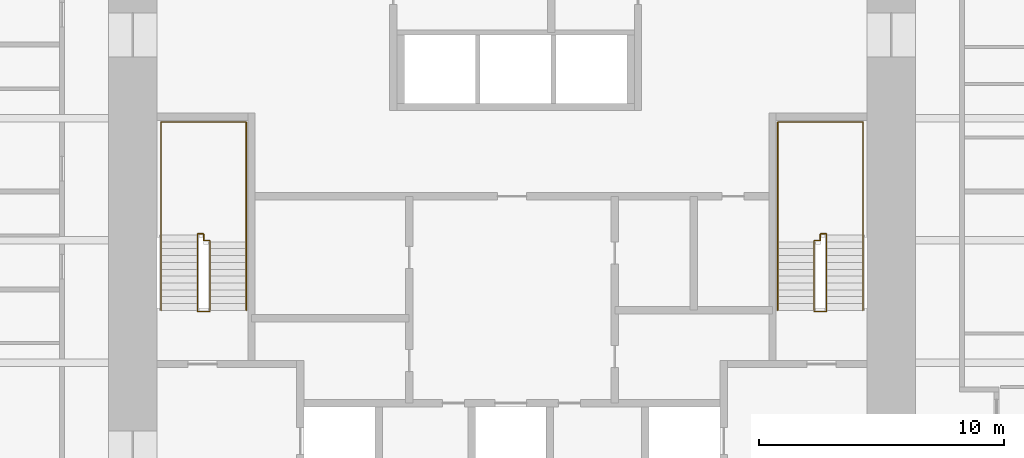
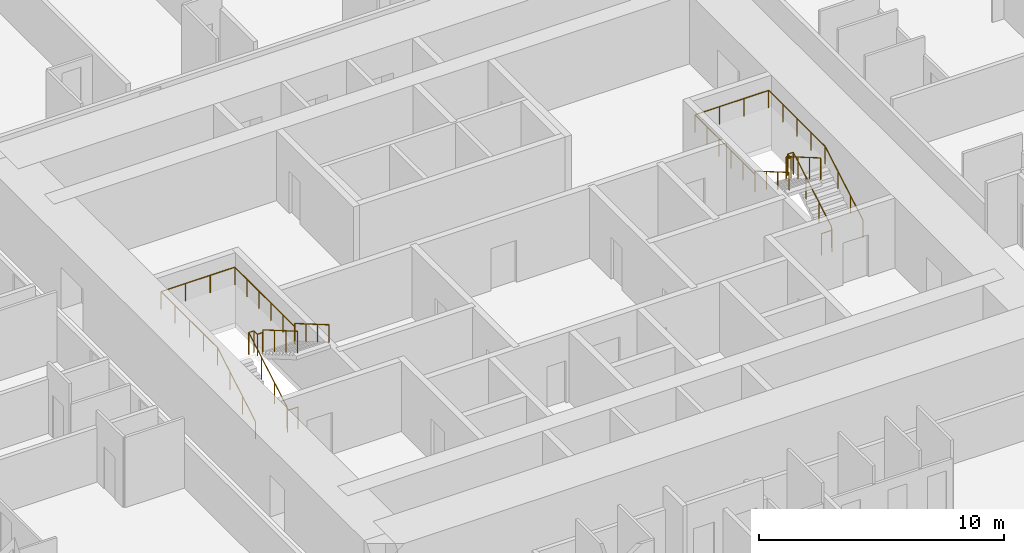
# One storey, part 16 of 16: 4 railings.
"""IFC4 building model written with IfcOpenShell, lengths in metres."""

from ifc_helpers import new_model, si_unit, direction, frame, origin, origin_2d, place, context, subcontext, project, spatial, circle, extrude, material, type_object, element, save


model = new_model("IFC4")

# Units and contexts
model_context = context("Model", 3, precision=1e-05, world=origin(), true_north=direction((0.0, 1.0)))
body_context = subcontext(model_context, "Body", "Model", "MODEL_VIEW")
ifc_project = project(units=[si_unit("LENGTHUNIT", "METRE"), si_unit("AREAUNIT", "SQUARE_METRE"), si_unit("VOLUMEUNIT", "CUBIC_METRE"), si_unit("PLANEANGLEUNIT", "RADIAN"), si_unit("MASSUNIT", "GRAM", prefix="KILO")], contexts=[model_context])

# Site, building, storey
site_placement = place(None, origin())
site = spatial("IfcSite", under=ifc_project, at=site_placement, CompositionType="ELEMENT")
building_placement = place(site_placement, origin())
building = spatial("IfcBuilding", under=site, at=building_placement, Name="Khuree Lantern Residences", CompositionType="ELEMENT")
storey_placement = place(building_placement, frame((0.0, 0.0, 66.0)))
storey = spatial("IfcBuildingStorey", under=building, at=storey_placement, Name="L16", CompositionType="ELEMENT", Elevation=66.0)

# Railings
ifc_material = material(Name="Steel S355", Category="steel")
railing_type_1 = type_object("IfcRailingType", Name="STAIR GUARD G1 1100", PredefinedType="GUARDRAIL", material=ifc_material)
railing_1_placement = place(storey_placement, frame((-12.35009765625, -2.909912109375, 0.0)))
element("IfcRailing", 1, at=railing_1_placement, inside=storey, type_object=railing_type_1, Name="Stair ST1 guard", PredefinedType="GUARDRAIL", context=body_context, shape_type="SweptSolid", body=[
    extrude(circle(Radius=0.02392578125, at=origin_2d()), frame((0.0, 0.0, 1.076171875), z_axis=(-1.0, 0.0, 0.0), x_axis=(0.0, -1.0, 0.0)), (0.0, 0.0, 1.0), 0.5),
    extrude(circle(Radius=0.02392578125, at=origin_2d()), frame((-0.5, 0.0, 1.076171875), z_axis=(0.0, 0.292073035251, 0.95639601739), x_axis=(-1.0, 0.0, 0.0)), (0.0, 0.0, 1.0), 0.17041015625),
    extrude(circle(Radius=0.02392578125, at=origin_2d()), frame((-0.5, 0.0498046875, 1.2392578125), z_axis=(0.0, 0.864176135923, 0.503189433615), x_axis=(-1.0, 0.0, 0.0)), (0.0, 0.0, 1.0), 3.564208984375),
    extrude(circle(Radius=0.02392578125, at=origin_2d()), frame((-0.5, 3.1298828125, 3.03271484375), z_axis=(0.0, 1.0, 0.0), x_axis=(-1.0, 0.0, 0.0)), (0.0, 0.0, 1.0), 0.050048828125),
    extrude(circle(Radius=0.02392578125, at=origin_2d()), frame((-0.5, 3.179931640625, 3.03271484375), z_axis=(1.0, 0.0, 0.0), x_axis=(0.0, 1.0, 0.0)), (0.0, 0.0, 1.0), 0.25),
    extrude(circle(Radius=0.02392578125, at=origin_2d()), frame((-0.25, 3.179931640625, 3.03271484375), z_axis=(0.0, -1.0, 0.0), x_axis=(1.0, 0.0, 0.0)), (0.0, 0.0, 1.0), 0.280029296875),
    extrude(circle(Radius=0.02392578125, at=origin_2d()), frame((-0.25, 2.89990234375, 3.03271484375), z_axis=(1.0, 0.0, 0.0), x_axis=(0.0, 1.0, 0.0)), (0.0, 0.0, 1.0), 0.25),
    extrude(circle(Radius=0.02392578125, at=origin_2d()), frame((0.0, 2.89990234375, 3.03271484375), z_axis=(0.0, -0.293381807449, 0.955995353053), x_axis=(1.0, 0.0, 0.0)), (0.0, 0.0, 1.0), 0.170654296875),
    extrude(circle(Radius=0.02392578125, at=origin_2d()), frame((0.0, 2.849853515625, 3.19580078125), z_axis=(0.0, -0.864180358799, 0.503182181189), x_axis=(1.0, 0.0, 0.0)), (0.0, 0.0, 1.0), 3.240234375),
    extrude(circle(Radius=0.02099609375, at=origin_2d()), origin(), (0.0, 0.0, 1.0), 1.052001953125),
    extrude(circle(Radius=0.02099609375, at=origin_2d()), frame((-0.5, 0.0, 0.0)), (0.0, 0.0, 1.0), 1.052001953125),
    extrude(circle(Radius=0.02099609375, at=origin_2d()), frame((-0.5, 0.0498046875, 0.1630859375)), (0.0, 0.0, 1.0), 1.052001953125),
    extrude(circle(Radius=0.02099609375, at=origin_2d()), frame((-0.5, 1.076416015625, 0.760986328125)), (0.0, 0.0, 1.0), 1.052001953125),
    extrude(circle(Radius=0.02099609375, at=origin_2d()), frame((-0.5, 2.103271484375, 1.358642578125)), (0.0, 0.0, 1.0), 1.052001953125),
    extrude(circle(Radius=0.02099609375, at=origin_2d()), frame((-0.5, 3.1298828125, 1.95654296875)), (0.0, 0.0, 1.0), 1.052001953125),
    extrude(circle(Radius=0.02099609375, at=origin_2d()), frame((-0.5, 3.179931640625, 1.95654296875)), (0.0, 0.0, 1.0), 1.052001953125),
    extrude(circle(Radius=0.02099609375, at=origin_2d()), frame((-0.25, 3.179931640625, 1.95654296875)), (0.0, 0.0, 1.0), 1.052001953125),
    extrude(circle(Radius=0.02099609375, at=origin_2d()), frame((-0.25, 2.89990234375, 1.95654296875)), (0.0, 0.0, 1.0), 1.052001953125),
    extrude(circle(Radius=0.02099609375, at=origin_2d()), frame((0.0, 2.89990234375, 1.95654296875)), (0.0, 0.0, 1.0), 1.052001953125),
    extrude(circle(Radius=0.02099609375, at=origin_2d()), frame((0.0, 2.849853515625, 2.11962890625)), (0.0, 0.0, 1.0), 1.052001953125),
    extrude(circle(Radius=0.02099609375, at=origin_2d()), frame((0.0, 1.91650390625, 2.6630859375)), (0.0, 0.0, 1.0), 1.052001953125),
    extrude(circle(Radius=0.02099609375, at=origin_2d()), frame((0.0, 0.983154296875, 3.20654296875)), (0.0, 0.0, 1.0), 1.052001953125),
    extrude(circle(Radius=0.02099609375, at=origin_2d()), frame((0.0, 0.0498046875, 3.75)), (0.0, 0.0, 1.0), 1.052001953125),
])
railing_2_placement = place(storey_placement, frame((12.35009765625, -2.909912109375, 0.0)))
element("IfcRailing", 2, at=railing_2_placement, inside=storey, type_object=railing_type_1, Name="Stair ST2 guard", PredefinedType="GUARDRAIL", context=body_context, shape_type="SweptSolid", body=[
    extrude(circle(Radius=0.02392578125, at=origin_2d()), frame((0.0, 0.0, 1.076171875), z_axis=(1.0, 0.0, 0.0), x_axis=(0.0, 1.0, 0.0)), (0.0, 0.0, 1.0), 0.5),
    extrude(circle(Radius=0.02392578125, at=origin_2d()), frame((0.5, 0.0, 1.076171875), z_axis=(0.0, 0.292073035251, 0.95639601739), x_axis=(-1.0, 0.0, 0.0)), (0.0, 0.0, 1.0), 0.17041015625),
    extrude(circle(Radius=0.02392578125, at=origin_2d()), frame((0.5, 0.0498046875, 1.2392578125), z_axis=(0.0, 0.864176135923, 0.503189433615), x_axis=(-1.0, 0.0, 0.0)), (0.0, 0.0, 1.0), 3.564208984375),
    extrude(circle(Radius=0.02392578125, at=origin_2d()), frame((0.5, 3.1298828125, 3.03271484375), z_axis=(0.0, 1.0, 0.0), x_axis=(-1.0, 0.0, 0.0)), (0.0, 0.0, 1.0), 0.050048828125),
    extrude(circle(Radius=0.02392578125, at=origin_2d()), frame((0.5, 3.179931640625, 3.03271484375), z_axis=(-1.0, 0.0, 0.0), x_axis=(0.0, -1.0, 0.0)), (0.0, 0.0, 1.0), 0.25),
    extrude(circle(Radius=0.02392578125, at=origin_2d()), frame((0.25, 3.179931640625, 3.03271484375), z_axis=(0.0, -1.0, 0.0), x_axis=(1.0, 0.0, 0.0)), (0.0, 0.0, 1.0), 0.280029296875),
    extrude(circle(Radius=0.02392578125, at=origin_2d()), frame((0.25, 2.89990234375, 3.03271484375), z_axis=(-1.0, 0.0, 0.0), x_axis=(0.0, -1.0, 0.0)), (0.0, 0.0, 1.0), 0.25),
    extrude(circle(Radius=0.02392578125, at=origin_2d()), frame((0.0, 2.89990234375, 3.03271484375), z_axis=(0.0, -0.293381807449, 0.955995353053), x_axis=(1.0, 0.0, 0.0)), (0.0, 0.0, 1.0), 0.170654296875),
    extrude(circle(Radius=0.02392578125, at=origin_2d()), frame((0.0, 2.849853515625, 3.19580078125), z_axis=(0.0, -0.864180358799, 0.503182181189), x_axis=(1.0, 0.0, 0.0)), (0.0, 0.0, 1.0), 3.240234375),
    extrude(circle(Radius=0.02099609375, at=origin_2d()), origin(), (0.0, 0.0, 1.0), 1.052001953125),
    extrude(circle(Radius=0.02099609375, at=origin_2d()), frame((0.5, 0.0, 0.0)), (0.0, 0.0, 1.0), 1.052001953125),
    extrude(circle(Radius=0.02099609375, at=origin_2d()), frame((0.5, 0.0498046875, 0.1630859375)), (0.0, 0.0, 1.0), 1.052001953125),
    extrude(circle(Radius=0.02099609375, at=origin_2d()), frame((0.5, 1.076416015625, 0.760986328125)), (0.0, 0.0, 1.0), 1.052001953125),
    extrude(circle(Radius=0.02099609375, at=origin_2d()), frame((0.5, 2.103271484375, 1.358642578125)), (0.0, 0.0, 1.0), 1.052001953125),
    extrude(circle(Radius=0.02099609375, at=origin_2d()), frame((0.5, 3.1298828125, 1.95654296875)), (0.0, 0.0, 1.0), 1.052001953125),
    extrude(circle(Radius=0.02099609375, at=origin_2d()), frame((0.5, 3.179931640625, 1.95654296875)), (0.0, 0.0, 1.0), 1.052001953125),
    extrude(circle(Radius=0.02099609375, at=origin_2d()), frame((0.25, 3.179931640625, 1.95654296875)), (0.0, 0.0, 1.0), 1.052001953125),
    extrude(circle(Radius=0.02099609375, at=origin_2d()), frame((0.25, 2.89990234375, 1.95654296875)), (0.0, 0.0, 1.0), 1.052001953125),
    extrude(circle(Radius=0.02099609375, at=origin_2d()), frame((0.0, 2.89990234375, 1.95654296875)), (0.0, 0.0, 1.0), 1.052001953125),
    extrude(circle(Radius=0.02099609375, at=origin_2d()), frame((0.0, 2.849853515625, 2.11962890625)), (0.0, 0.0, 1.0), 1.052001953125),
    extrude(circle(Radius=0.02099609375, at=origin_2d()), frame((0.0, 1.91650390625, 2.6630859375)), (0.0, 0.0, 1.0), 1.052001953125),
    extrude(circle(Radius=0.02099609375, at=origin_2d()), frame((0.0, 0.983154296875, 3.20654296875)), (0.0, 0.0, 1.0), 1.052001953125),
    extrude(circle(Radius=0.02099609375, at=origin_2d()), frame((0.0, 0.0498046875, 3.75)), (0.0, 0.0, 1.0), 1.052001953125),
])
railing_type_2 = type_object("IfcRailingType", Name="STAIR HANDRAIL H1 900", PredefinedType="HANDRAIL", material=ifc_material)
railing_3_placement = place(storey_placement, frame((-14.340087890625, -2.860107421875, 0.1630859375)))
element("IfcRailing", 3, at=railing_3_placement, inside=storey, type_object=railing_type_2, Name="Stair ST1 handrail", PredefinedType="HANDRAIL", context=body_context, shape_type="SweptSolid", body=[
    extrude(circle(Radius=0.02392578125, at=origin_2d()), frame((0.0, 0.0, 0.8759765625), z_axis=(0.0, 0.864176135923, 0.503189433615), x_axis=(-1.0, 0.0, 0.0)), (0.0, 0.0, 1.0), 3.564208984375),
    extrude(circle(Radius=0.02392578125, at=origin_2d()), frame((0.0, 3.080078125, 2.66943359375), z_axis=(0.0, 1.0, 0.0), x_axis=(-1.0, 0.0, 0.0)), (0.0, 0.0, 1.0), 4.6201171875),
    extrude(circle(Radius=0.02392578125, at=origin_2d()), frame((0.0, 7.7001953125, 2.66943359375), z_axis=(1.0, 0.0, 0.0), x_axis=(0.0, 1.0, 0.0)), (0.0, 0.0, 1.0), 3.47998046875),
    extrude(circle(Radius=0.02392578125, at=origin_2d()), frame((3.47998046875, 7.7001953125, 2.66943359375), z_axis=(0.0, -1.0, 0.0), x_axis=(1.0, 0.0, 0.0)), (0.0, 0.0, 1.0), 4.900146484375),
    extrude(circle(Radius=0.02392578125, at=origin_2d()), frame((3.47998046875, 2.800048828125, 2.66943359375), z_axis=(0.0, 0.0, 1.0), x_axis=(1.0, 0.0, 0.0)), (0.0, 0.0, 1.0), 0.1630859375),
    extrude(circle(Radius=0.02392578125, at=origin_2d()), frame((3.47998046875, 2.800048828125, 2.83251953125), z_axis=(0.0, -0.864180358799, 0.503182181189), x_axis=(1.0, 0.0, 0.0)), (0.0, 0.0, 1.0), 3.240234375),
    extrude(circle(Radius=0.02099609375, at=origin_2d()), origin(), (0.0, 0.0, 1.0), 0.851806640625),
    extrude(circle(Radius=0.02099609375, at=origin_2d()), frame((0.0, 1.026611328125, 0.597900390625)), (0.0, 0.0, 1.0), 0.851806640625),
    extrude(circle(Radius=0.02099609375, at=origin_2d()), frame((0.0, 2.053466796875, 1.195556640625)), (0.0, 0.0, 1.0), 0.851806640625),
    extrude(circle(Radius=0.02099609375, at=origin_2d()), frame((0.0, 3.080078125, 1.79345703125)), (0.0, 0.0, 1.0), 0.851806640625),
    extrude(circle(Radius=0.02099609375, at=origin_2d()), frame((0.0, 4.235107421875, 1.79345703125)), (0.0, 0.0, 1.0), 0.851806640625),
    extrude(circle(Radius=0.02099609375, at=origin_2d()), frame((0.0, 5.39013671875, 1.79345703125)), (0.0, 0.0, 1.0), 0.851806640625),
    extrude(circle(Radius=0.02099609375, at=origin_2d()), frame((0.0, 6.545166015625, 1.79345703125)), (0.0, 0.0, 1.0), 0.851806640625),
    extrude(circle(Radius=0.02099609375, at=origin_2d()), frame((0.0, 7.7001953125, 1.79345703125)), (0.0, 0.0, 1.0), 0.851806640625),
    extrude(circle(Radius=0.02099609375, at=origin_2d()), frame((1.159912109375, 7.7001953125, 1.79345703125)), (0.0, 0.0, 1.0), 0.851806640625),
    extrude(circle(Radius=0.02099609375, at=origin_2d()), frame((2.320068359375, 7.7001953125, 1.79345703125)), (0.0, 0.0, 1.0), 0.851806640625),
    extrude(circle(Radius=0.02099609375, at=origin_2d()), frame((3.47998046875, 7.7001953125, 1.79345703125)), (0.0, 0.0, 1.0), 0.851806640625),
    extrude(circle(Radius=0.02099609375, at=origin_2d()), frame((3.47998046875, 6.72021484375, 1.79345703125)), (0.0, 0.0, 1.0), 0.851806640625),
    extrude(circle(Radius=0.02099609375, at=origin_2d()), frame((3.47998046875, 5.740234375, 1.79345703125)), (0.0, 0.0, 1.0), 0.851806640625),
    extrude(circle(Radius=0.02099609375, at=origin_2d()), frame((3.47998046875, 4.760009765625, 1.79345703125)), (0.0, 0.0, 1.0), 0.851806640625),
    extrude(circle(Radius=0.02099609375, at=origin_2d()), frame((3.47998046875, 3.780029296875, 1.79345703125)), (0.0, 0.0, 1.0), 0.851806640625),
    extrude(circle(Radius=0.02099609375, at=origin_2d()), frame((3.47998046875, 2.800048828125, 1.79345703125)), (0.0, 0.0, 1.0), 0.851806640625),
    extrude(circle(Radius=0.02099609375, at=origin_2d()), frame((3.47998046875, 2.800048828125, 1.95654296875)), (0.0, 0.0, 1.0), 0.851806640625),
    extrude(circle(Radius=0.02099609375, at=origin_2d()), frame((3.47998046875, 1.86669921875, 2.5)), (0.0, 0.0, 1.0), 0.851806640625),
    extrude(circle(Radius=0.02099609375, at=origin_2d()), frame((3.47998046875, 0.933349609375, 3.04345703125)), (0.0, 0.0, 1.0), 0.851806640625),
    extrude(circle(Radius=0.02099609375, at=origin_2d()), frame((3.47998046875, 0.0, 3.5869140625)), (0.0, 0.0, 1.0), 0.851806640625),
])
railing_4_placement = place(storey_placement, frame((14.340087890625, -2.860107421875, 0.1630859375)))
element("IfcRailing", 4, at=railing_4_placement, inside=storey, type_object=railing_type_2, Name="Stair ST2 handrail", PredefinedType="HANDRAIL", context=body_context, shape_type="SweptSolid", body=[
    extrude(circle(Radius=0.02392578125, at=origin_2d()), frame((0.0, 0.0, 0.8759765625), z_axis=(0.0, 0.864176135923, 0.503189433615), x_axis=(-1.0, 0.0, 0.0)), (0.0, 0.0, 1.0), 3.564208984375),
    extrude(circle(Radius=0.02392578125, at=origin_2d()), frame((0.0, 3.080078125, 2.66943359375), z_axis=(0.0, 1.0, 0.0), x_axis=(-1.0, 0.0, 0.0)), (0.0, 0.0, 1.0), 4.6201171875),
    extrude(circle(Radius=0.02392578125, at=origin_2d()), frame((0.0, 7.7001953125, 2.66943359375), z_axis=(-1.0, 0.0, 0.0), x_axis=(0.0, -1.0, 0.0)), (0.0, 0.0, 1.0), 3.47998046875),
    extrude(circle(Radius=0.02392578125, at=origin_2d()), frame((-3.47998046875, 7.7001953125, 2.66943359375), z_axis=(0.0, -1.0, 0.0), x_axis=(1.0, 0.0, 0.0)), (0.0, 0.0, 1.0), 4.900146484375),
    extrude(circle(Radius=0.02392578125, at=origin_2d()), frame((-3.47998046875, 2.800048828125, 2.66943359375), z_axis=(0.0, 0.0, 1.0), x_axis=(1.0, 0.0, 0.0)), (0.0, 0.0, 1.0), 0.1630859375),
    extrude(circle(Radius=0.02392578125, at=origin_2d()), frame((-3.47998046875, 2.800048828125, 2.83251953125), z_axis=(0.0, -0.864180358799, 0.503182181189), x_axis=(1.0, 0.0, 0.0)), (0.0, 0.0, 1.0), 3.240234375),
    extrude(circle(Radius=0.02099609375, at=origin_2d()), origin(), (0.0, 0.0, 1.0), 0.851806640625),
    extrude(circle(Radius=0.02099609375, at=origin_2d()), frame((0.0, 1.026611328125, 0.597900390625)), (0.0, 0.0, 1.0), 0.851806640625),
    extrude(circle(Radius=0.02099609375, at=origin_2d()), frame((0.0, 2.053466796875, 1.195556640625)), (0.0, 0.0, 1.0), 0.851806640625),
    extrude(circle(Radius=0.02099609375, at=origin_2d()), frame((0.0, 3.080078125, 1.79345703125)), (0.0, 0.0, 1.0), 0.851806640625),
    extrude(circle(Radius=0.02099609375, at=origin_2d()), frame((0.0, 4.235107421875, 1.79345703125)), (0.0, 0.0, 1.0), 0.851806640625),
    extrude(circle(Radius=0.02099609375, at=origin_2d()), frame((0.0, 5.39013671875, 1.79345703125)), (0.0, 0.0, 1.0), 0.851806640625),
    extrude(circle(Radius=0.02099609375, at=origin_2d()), frame((0.0, 6.545166015625, 1.79345703125)), (0.0, 0.0, 1.0), 0.851806640625),
    extrude(circle(Radius=0.02099609375, at=origin_2d()), frame((0.0, 7.7001953125, 1.79345703125)), (0.0, 0.0, 1.0), 0.851806640625),
    extrude(circle(Radius=0.02099609375, at=origin_2d()), frame((-1.159912109375, 7.7001953125, 1.79345703125)), (0.0, 0.0, 1.0), 0.851806640625),
    extrude(circle(Radius=0.02099609375, at=origin_2d()), frame((-2.320068359375, 7.7001953125, 1.79345703125)), (0.0, 0.0, 1.0), 0.851806640625),
    extrude(circle(Radius=0.02099609375, at=origin_2d()), frame((-3.47998046875, 7.7001953125, 1.79345703125)), (0.0, 0.0, 1.0), 0.851806640625),
    extrude(circle(Radius=0.02099609375, at=origin_2d()), frame((-3.47998046875, 6.72021484375, 1.79345703125)), (0.0, 0.0, 1.0), 0.851806640625),
    extrude(circle(Radius=0.02099609375, at=origin_2d()), frame((-3.47998046875, 5.740234375, 1.79345703125)), (0.0, 0.0, 1.0), 0.851806640625),
    extrude(circle(Radius=0.02099609375, at=origin_2d()), frame((-3.47998046875, 4.760009765625, 1.79345703125)), (0.0, 0.0, 1.0), 0.851806640625),
    extrude(circle(Radius=0.02099609375, at=origin_2d()), frame((-3.47998046875, 3.780029296875, 1.79345703125)), (0.0, 0.0, 1.0), 0.851806640625),
    extrude(circle(Radius=0.02099609375, at=origin_2d()), frame((-3.47998046875, 2.800048828125, 1.79345703125)), (0.0, 0.0, 1.0), 0.851806640625),
    extrude(circle(Radius=0.02099609375, at=origin_2d()), frame((-3.47998046875, 2.800048828125, 1.95654296875)), (0.0, 0.0, 1.0), 0.851806640625),
    extrude(circle(Radius=0.02099609375, at=origin_2d()), frame((-3.47998046875, 1.86669921875, 2.5)), (0.0, 0.0, 1.0), 0.851806640625),
    extrude(circle(Radius=0.02099609375, at=origin_2d()), frame((-3.47998046875, 0.933349609375, 3.04345703125)), (0.0, 0.0, 1.0), 0.851806640625),
    extrude(circle(Radius=0.02099609375, at=origin_2d()), frame((-3.47998046875, 0.0, 3.5869140625)), (0.0, 0.0, 1.0), 0.851806640625),
])

save(model, "model.ifc")
